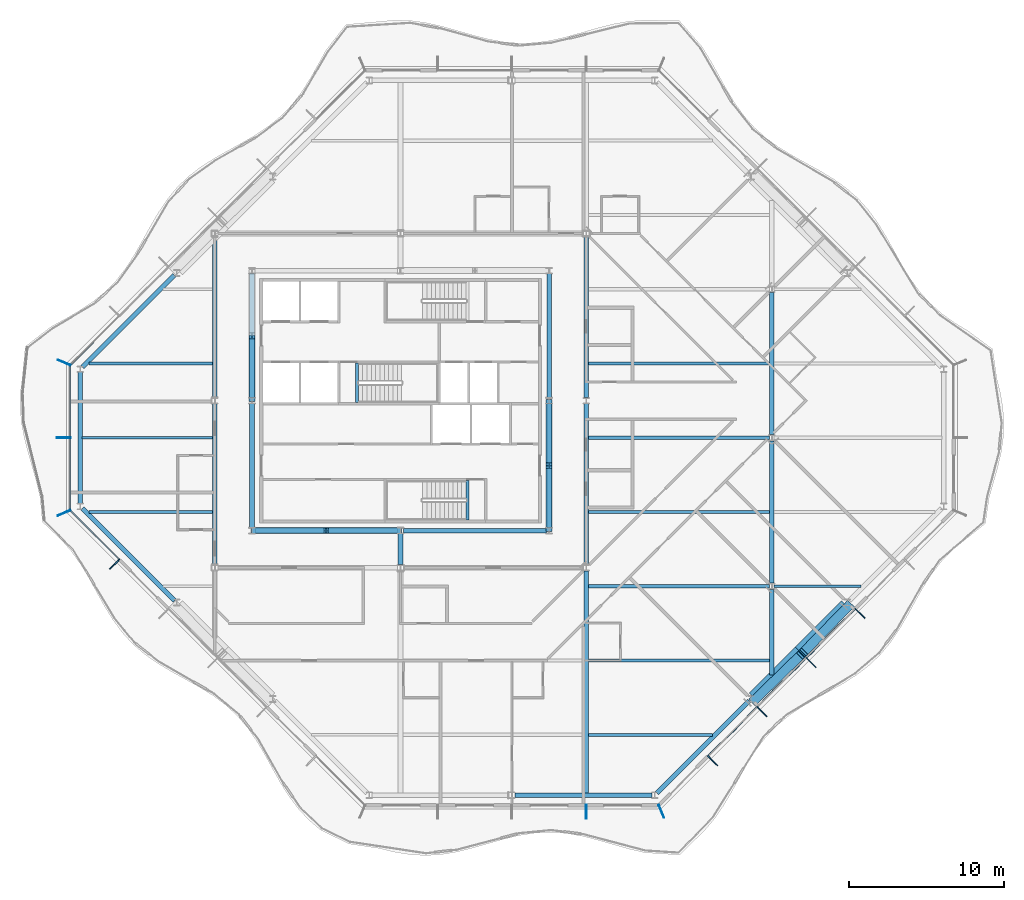
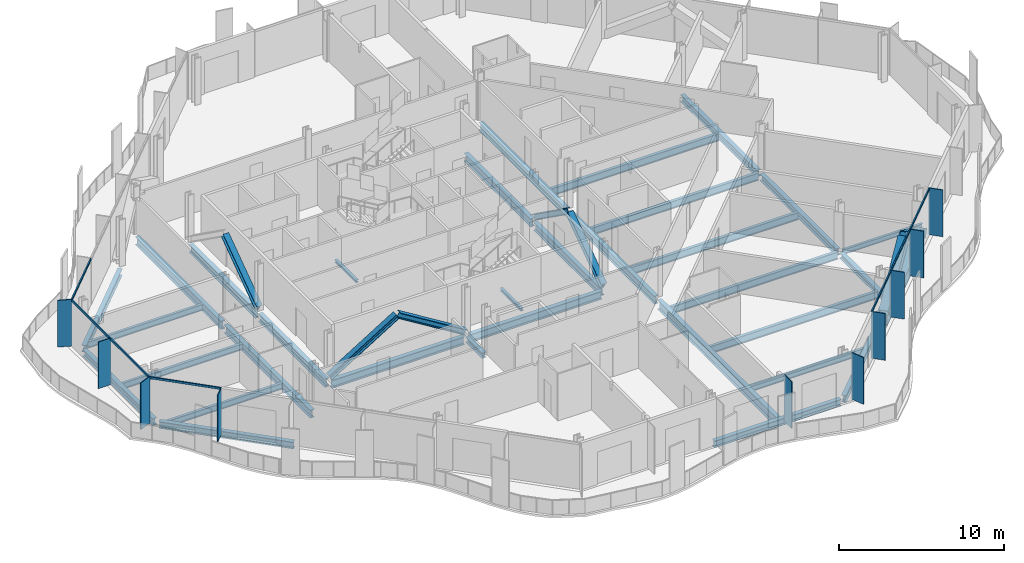
# One storey, part 3 of 17: 34 beams, 24 members, 5 elements without a shape of their own.
"""IFC4 building model written with IfcOpenShell, lengths in metres."""

from ifc_helpers import new_model, si_unit, direction, frame, origin, origin_2d, place, context, subcontext, project, spatial, rectangle, hollow_rectangle, i_section, extrude, material, material_profile, profile_set, type_object, element, aggregate, save


model = new_model("IFC4")

# Units and contexts
model_context = context("Model", 3, precision=1e-05, world=origin(), true_north=direction((0.0, 1.0)))
body_context = subcontext(model_context, "Body", "Model", "MODEL_VIEW")
ifc_project = project(units=[si_unit("LENGTHUNIT", "METRE"), si_unit("AREAUNIT", "SQUARE_METRE"), si_unit("VOLUMEUNIT", "CUBIC_METRE"), si_unit("PLANEANGLEUNIT", "RADIAN"), si_unit("MASSUNIT", "GRAM", prefix="KILO")], contexts=[model_context])

# Site, building, storey
site_placement = place(None, origin())
site = spatial("IfcSite", under=ifc_project, at=site_placement, CompositionType="ELEMENT")
building_placement = place(site_placement, origin())
building = spatial("IfcBuilding", under=site, at=building_placement, Name="Cairn Pilgrim Tower", CompositionType="ELEMENT")
storey_placement = place(building_placement, frame((0.0, 0.0, 221.39990234375)))
storey = spatial("IfcBuildingStorey", under=building, at=storey_placement, Name="L56", CompositionType="ELEMENT", Elevation=221.39990234375)

# Members
ifc_material_1 = material(Name="Structural steel S460M", Category="steel")
ifc_material_profile_1 = material_profile(ifc_material_1, hollow_rectangle(XDim=0.60009765625, YDim=0.60009765625, WallThickness=0.034912109375, at=origin_2d()), Name="BOX 600x600x35")
ifc_profile_set_1 = profile_set([ifc_material_profile_1], Name="Structural steel S460M")
member_type_1 = type_object("IfcMemberType", Name="BOX 600x600x35 BRACE", PredefinedType="BRACE", material=ifc_profile_set_1)
for number, where, z_axis, x_axis, name in (
    (1, (30.02392578125, -17.00146484375, 0.150146484375), (0.610009201523, 0.594778373814, 0.523571828979), (-0.698111810848, 0.715988756584, 0.0), "XB-SE2-SE3-1"),
    (2, (36.201416015625, -10.823974609375, 0.150146484375), (-0.594778373814, -0.610009201523, 0.523571828979), (0.715988756584, -0.698111810848, 0.0), "XB-SE2-SE3-2"),
):
    element("IfcMember", number, at=place(storey_placement, frame(where, z_axis=z_axis, x_axis=x_axis)), inside=storey, type_object=member_type_1, Name=name, PredefinedType="BRACE", context=body_context, shape_type="SweptSolid", body=[
        extrude(hollow_rectangle(XDim=0.60009765625, YDim=0.60009765625, WallThickness=0.034912109375, at=origin_2d()), origin(), (0.0, 0.0, 1.0), 5.033203125),
    ])

# Beams
ifc_material_2 = material(Name="Structural steel S355J2", Category="steel")
ifc_material_profile_2 = material_profile(ifc_material_2, hollow_rectangle(XDim=0.699951171875, YDim=0.800048828125, WallThickness=0.0400390625, at=origin_2d()), Name="BOX 700x800x40")
ifc_profile_set_2 = profile_set([ifc_material_profile_2], Name="Structural steel S355J2")
beam_type_1 = type_object("IfcBeamType", Name="BOX 700x800x40 RING GIRDER", PredefinedType="SPANDREL", material=ifc_profile_set_2)
beam_1_placement = place(storey_placement, frame((29.98388671875, -16.743408203125, -0.5498046875), z_axis=(0.707106781187, 0.707106781187, 0.0), x_axis=(-0.707106781187, 0.707106781187, 0.0)))
element("IfcBeam", 3, at=beam_1_placement, inside=storey, type_object=beam_type_1, Name="RG3-SE2-SE3-1", PredefinedType="SPANDREL", context=body_context, shape_type="SweptSolid", body=[
    extrude(hollow_rectangle(XDim=0.699951171875, YDim=0.800048828125, WallThickness=0.0400390625, at=origin_2d()), origin(), (0.0, 0.0, 1.0), 4.2138671875),
])
beam_2_placement = place(storey_placement, frame((32.963623046875, -13.763671875, -0.5498046875), z_axis=(0.707077813866, 0.707135747321, 0.0), x_axis=(-0.707135747321, 0.707077813866, 0.0)))
element("IfcBeam", 4, at=beam_2_placement, inside=storey, type_object=beam_type_1, Name="RG3-SE2-SE3-2", PredefinedType="SPANDREL", context=body_context, shape_type="SweptSolid", body=[
    extrude(hollow_rectangle(XDim=0.699951171875, YDim=0.800048828125, WallThickness=0.0400390625, at=origin_2d()), origin(), (0.0, 0.0, 1.0), 4.214111328125),
])

# Curtain wall, member
ifc_material_3 = material(Name="Aluminium alloy 6063-T6 bronze anodised with Bronze tinted laminated low-E glass 8+16+8.8", Category="aluminium")
curtain_wall_type_1 = type_object("IfcCurtainWallType", Name="TOWER STICK CURTAIN WALL NS", PredefinedType="NOTDEFINED", material=ifc_material_3)
curtain_wall_1_placement = place(storey_placement, origin())
curtain_wall_1 = element("IfcCurtainWall", 5, at=curtain_wall_1_placement, inside=storey, type_object=curtain_wall_type_1, Name="Tower Stick Curtain Wall Ns S", PredefinedType="NOTDEFINED")
ifc_material_4 = material(Name="Aluminium alloy 6063-T6 bronze anodised", Category="aluminium")
ifc_material_profile_3 = material_profile(ifc_material_4, rectangle(XDim=0.89990234375, YDim=0.06005859375, at=origin_2d()), Name="FIN MULLION 60x900 BRONZE")
ifc_profile_set_3 = profile_set([ifc_material_profile_3], Name="Aluminium alloy 6063-T6 bronze anodised")
member_type_2 = type_object("IfcMemberType", Name="FIN MULLION 60x900 BRONZE", PredefinedType="MULLION", material=ifc_profile_set_3)
member_1_placement = place(storey_placement, frame((19.199951171875, -24.169921875, 0.0), z_axis=(0.0, 0.0, 1.0), x_axis=(0.0, -1.0, 0.0)))
member_1 = element("IfcMember", 6, at=member_1_placement, type_object=member_type_2, Name="Fin mullion S4", PredefinedType="MULLION", context=body_context, shape_type="SweptSolid", body=[
    extrude(rectangle(XDim=0.89990234375, YDim=0.06005859375, at=origin_2d()), origin(), (0.0, 0.0, 1.0), 3.4501953125),
])
aggregate(curtain_wall_1, [member_1])

# Curtain wall, members
curtain_wall_type_2 = type_object("IfcCurtainWallType", Name="CHAMFER CORNER CURTAIN WALL", PredefinedType="NOTDEFINED", material=ifc_material_3)
curtain_wall_2_placement = place(storey_placement, origin())
curtain_wall_2 = element("IfcCurtainWall", 7, at=curtain_wall_2_placement, inside=storey, type_object=curtain_wall_type_2, Name="Chamfer Corner Curtain Wall SE", PredefinedType="NOTDEFINED")
member_2_placement = place(storey_placement, frame((24.05712890625, -24.137939453125, 0.0), z_axis=(0.0, 0.0, 1.0), x_axis=(0.382683432365, -0.923879532511, 0.0)))
member_2 = element("IfcMember", 8, at=member_2_placement, type_object=member_type_2, Name="Fin mullion SE1", PredefinedType="MULLION", context=body_context, shape_type="SweptSolid", body=[
    extrude(rectangle(XDim=0.89990234375, YDim=0.06005859375, at=origin_2d()), origin(), (0.0, 0.0, 1.0), 3.4501953125),
])
member_3_placement = place(storey_placement, frame((27.369140625, -20.871337890625, 0.0), z_axis=(0.0, 0.0, 1.0), x_axis=(0.707106781187, -0.707106781187, 0.0)))
member_3 = element("IfcMember", 9, at=member_3_placement, type_object=member_type_2, Name="Fin mullion SE2", PredefinedType="MULLION", context=body_context, shape_type="SweptSolid", body=[
    extrude(rectangle(XDim=0.89990234375, YDim=0.06005859375, at=origin_2d()), origin(), (0.0, 0.0, 1.0), 3.4501953125),
])
member_4_placement = place(storey_placement, frame((30.544677734375, -17.69580078125, 0.0), z_axis=(0.0, 0.0, 1.0), x_axis=(0.707106781187, -0.707106781187, 0.0)))
member_4 = element("IfcMember", 10, at=member_4_placement, type_object=member_type_2, Name="Fin mullion SE3", PredefinedType="MULLION", context=body_context, shape_type="SweptSolid", body=[
    extrude(rectangle(XDim=0.89990234375, YDim=0.06005859375, at=origin_2d()), origin(), (0.0, 0.0, 1.0), 3.4501953125),
])
member_5_placement = place(storey_placement, frame((33.72021484375, -14.520263671875, 0.0), z_axis=(0.0, 0.0, 1.0), x_axis=(0.707106781187, -0.707106781187, 0.0)))
member_5 = element("IfcMember", 11, at=member_5_placement, type_object=member_type_2, Name="Fin mullion SE4", PredefinedType="MULLION", context=body_context, shape_type="SweptSolid", body=[
    extrude(rectangle(XDim=0.89990234375, YDim=0.06005859375, at=origin_2d()), origin(), (0.0, 0.0, 1.0), 3.4501953125),
])
member_6_placement = place(storey_placement, frame((36.895751953125, -11.3447265625, 0.0), z_axis=(0.0, 0.0, 1.0), x_axis=(0.707106781187, -0.707106781187, 0.0)))
member_6 = element("IfcMember", 12, at=member_6_placement, type_object=member_type_2, Name="Fin mullion SE5", PredefinedType="MULLION", context=body_context, shape_type="SweptSolid", body=[
    extrude(rectangle(XDim=0.89990234375, YDim=0.06005859375, at=origin_2d()), origin(), (0.0, 0.0, 1.0), 3.4501953125),
])

curtain_wall_type_3 = type_object("IfcCurtainWallType", Name="TOWER STICK CURTAIN WALL EW", PredefinedType="NOTDEFINED", material=ifc_material_3)
curtain_wall_3_placement = place(storey_placement, origin())
curtain_wall_3 = element("IfcCurtainWall", 13, at=curtain_wall_3_placement, inside=storey, type_object=curtain_wall_type_3, Name="Tower Stick Curtain Wall Ew W", PredefinedType="NOTDEFINED")
member_7_placement = place(storey_placement, frame((-14.5380859375, 4.857177734375, 0.0), z_axis=(0.0, 0.0, 1.0), x_axis=(-0.923879532511, 0.382683432365, 0.0)))
member_7 = element("IfcMember", 14, at=member_7_placement, type_object=member_type_2, Name="Fin mullion W1", PredefinedType="MULLION", context=body_context, shape_type="SweptSolid", body=[
    extrude(rectangle(XDim=0.89990234375, YDim=0.06005859375, at=origin_2d()), origin(), (0.0, 0.0, 1.0), 3.4501953125),
])
member_8_placement = place(storey_placement, frame((-14.570068359375, 0.0, 0.0), z_axis=(0.0, 0.0, 1.0), x_axis=(-1.0, 0.0, 0.0)))
member_8 = element("IfcMember", 15, at=member_8_placement, type_object=member_type_2, Name="Fin mullion W2", PredefinedType="MULLION", context=body_context, shape_type="SweptSolid", body=[
    extrude(rectangle(XDim=0.89990234375, YDim=0.06005859375, at=origin_2d()), origin(), (0.0, 0.0, 1.0), 3.4501953125),
])

curtain_wall_4_placement = place(storey_placement, origin())
curtain_wall_4 = element("IfcCurtainWall", 16, at=curtain_wall_4_placement, inside=storey, type_object=curtain_wall_type_2, Name="Chamfer Corner Curtain Wall SW", PredefinedType="NOTDEFINED")
member_9_placement = place(storey_placement, frame((-14.5380859375, -4.857177734375, 0.0), z_axis=(0.0, 0.0, 1.0), x_axis=(-0.923879532511, -0.382683432365, 0.0)))
member_9 = element("IfcMember", 17, at=member_9_placement, type_object=member_type_2, Name="Fin mullion SW1", PredefinedType="MULLION", context=body_context, shape_type="SweptSolid", body=[
    extrude(rectangle(XDim=0.89990234375, YDim=0.06005859375, at=origin_2d()), origin(), (0.0, 0.0, 1.0), 3.4501953125),
])
member_10_placement = place(storey_placement, frame((-11.271484375, -8.1689453125, 0.0), z_axis=(0.0, 0.0, 1.0), x_axis=(-0.707106781187, -0.707106781187, 0.0)))
member_10 = element("IfcMember", 18, at=member_10_placement, type_object=member_type_2, Name="Fin mullion SW2", PredefinedType="MULLION", context=body_context, shape_type="SweptSolid", body=[
    extrude(rectangle(XDim=0.89990234375, YDim=0.06005859375, at=origin_2d()), origin(), (0.0, 0.0, 1.0), 3.4501953125),
])

# Members
ifc_material_profile_4 = material_profile(ifc_material_2, i_section(OverallWidth=0.39794921875, OverallDepth=0.386962890625, WebThickness=0.02099609375, FlangeThickness=0.033203125, FilletRadius=0.014892578125, at=origin_2d()), Name="HD 400x262")
ifc_profile_set_4 = profile_set([ifc_material_profile_4], Name="Structural steel S355J2")
member_type_3 = type_object("IfcMemberType", Name="HD 400x262 BRACE", PredefinedType="BRACE", material=ifc_profile_set_4)
member_11_placement = place(storey_placement, frame((-2.359619140625, -6.0, 0.10009765625), z_axis=(0.851180404412, 0.0, 0.524873241025), x_axis=(0.0, 1.0, 0.0)))
element("IfcMember", 19, at=member_11_placement, inside=storey, type_object=member_type_3, Name="KB-1A", PredefinedType="BRACE", context=body_context, shape_type="SweptSolid", body=[
    extrude(i_section(OverallWidth=0.39794921875, OverallDepth=0.386962890625, WebThickness=0.02099609375, FlangeThickness=0.033203125, FilletRadius=0.014892578125, at=origin_2d()), origin(), (0.0, 0.0, 1.0), 5.529052734375),
])
member_12_placement = place(storey_placement, frame((7.15966796875, -6.0, 0.10009765625), z_axis=(-0.851192568136, 0.0, 0.524853514754), x_axis=(0.0, -1.0, 0.0)))
element("IfcMember", 20, at=member_12_placement, inside=storey, type_object=member_type_3, Name="KB-1B", PredefinedType="BRACE", context=body_context, shape_type="SweptSolid", body=[
    extrude(i_section(OverallWidth=0.39794921875, OverallDepth=0.386962890625, WebThickness=0.02099609375, FlangeThickness=0.033203125, FilletRadius=0.014892578125, at=origin_2d()), origin(), (0.0, 0.0, 1.0), 5.529296875),
])
member_13_placement = place(storey_placement, frame((16.800048828125, -5.959716796875, 0.10009765625), z_axis=(0.0, 0.814429122825, 0.580263047155), x_axis=(-1.0, 0.0, 0.0)))
element("IfcMember", 21, at=member_13_placement, inside=storey, type_object=member_type_3, Name="KB-2A", PredefinedType="BRACE", context=body_context, shape_type="SweptSolid", body=[
    extrude(i_section(OverallWidth=0.39794921875, OverallDepth=0.386962890625, WebThickness=0.02099609375, FlangeThickness=0.033203125, FilletRadius=0.014892578125, at=origin_2d()), origin(), (0.0, 0.0, 1.0), 4.999267578125),
])
for number, where, z_axis, x_axis, name in (
    (22, (16.800048828125, 2.359619140625, 0.10009765625), (0.0, -0.814412678688, 0.580286126659), (1.0, 0.0, 0.0), "KB-2B"),
    (23, (-2.39990234375, 2.4404296875, 0.10009765625), (0.0, 0.814412678688, 0.580286126659), (-1.0, 0.0, 0.0), "KB-4B"),
):
    element("IfcMember", number, at=place(storey_placement, frame(where, z_axis=z_axis, x_axis=x_axis)), inside=storey, type_object=member_type_3, Name=name, PredefinedType="BRACE", context=body_context, shape_type="SweptSolid", body=[
        extrude(i_section(OverallWidth=0.39794921875, OverallDepth=0.386962890625, WebThickness=0.02099609375, FlangeThickness=0.033203125, FilletRadius=0.014892578125, at=origin_2d()), origin(), (0.0, 0.0, 1.0), 4.9990234375),
    ])

# Beams
ifc_material_profile_5 = material_profile(ifc_material_2, i_section(OverallWidth=0.300048828125, OverallDepth=0.39990234375, WebThickness=0.013427734375, FlangeThickness=0.02392578125, FilletRadius=0.027099609375, at=origin_2d()), Name="HEB 400")
ifc_profile_set_5 = profile_set([ifc_material_profile_5], Name="Structural steel S355J2")
beam_type_2 = type_object("IfcBeamType", Name="HEB 400 GIRDER", PredefinedType="BEAM", material=ifc_profile_set_5)
beam_3_placement = place(storey_placement, frame((7.199951171875, -8.200439453125, -0.349853515625), z_axis=(0.0, 1.0, 0.0), x_axis=(-1.0, 0.0, 0.0)))
element("IfcBeam", 24, at=beam_3_placement, inside=storey, type_object=beam_type_2, Name="PG3-E1", PredefinedType="BEAM", context=body_context, shape_type="SweptSolid", body=[
    extrude(i_section(OverallWidth=0.300048828125, OverallDepth=0.39990234375, WebThickness=0.013427734375, FlangeThickness=0.02392578125, FilletRadius=0.027099609375, at=origin_2d()), origin(), (0.0, 0.0, 1.0), 1.99853515625),
])
beam_4_placement = place(storey_placement, frame((31.199951171875, -15.34521484375, -0.349853515625), z_axis=(0.0, 1.0, 0.0), x_axis=(-1.0, 0.0, 0.0)))
element("IfcBeam", 25, at=beam_4_placement, inside=storey, type_object=beam_type_2, Name="PG5-1", PredefinedType="BEAM", context=body_context, shape_type="SweptSolid", body=[
    extrude(i_section(OverallWidth=0.300048828125, OverallDepth=0.39990234375, WebThickness=0.013427734375, FlangeThickness=0.02392578125, FilletRadius=0.027099609375, at=origin_2d()), origin(), (0.0, 0.0, 1.0), 5.545654296875),
])
ifc_material_profile_6 = material_profile(ifc_material_2, i_section(OverallWidth=0.300048828125, OverallDepth=0.5, WebThickness=0.014404296875, FlangeThickness=0.028076171875, FilletRadius=0.027099609375, at=origin_2d()), Name="HEB 500")
ifc_profile_set_6 = profile_set([ifc_material_profile_6], Name="Structural steel S355J2")
beam_type_3 = type_object("IfcBeamType", Name="HEB 500 GIRDER", PredefinedType="BEAM", material=ifc_profile_set_6)
for number, where, z_axis, x_axis, name in (
    (26, (31.199951171875, -9.400390625, -0.39990234375), (0.0, 1.0, 0.0), (-1.0, 0.0, 0.0), "PG5-2"),
    (27, (31.199951171875, 0.199462890625, -0.39990234375), (0.0, 1.0, 0.0), (-1.0, 0.0, 0.0), "PG5-3"),
):
    element("IfcBeam", number, at=place(storey_placement, frame(where, z_axis=z_axis, x_axis=x_axis)), inside=storey, type_object=beam_type_3, Name=name, PredefinedType="BEAM", context=body_context, shape_type="SweptSolid", body=[
        extrude(i_section(OverallWidth=0.300048828125, OverallDepth=0.5, WebThickness=0.014404296875, FlangeThickness=0.028076171875, FilletRadius=0.027099609375, at=origin_2d()), origin(), (0.0, 0.0, 1.0), 9.200927734375),
    ])
ifc_material_profile_7 = material_profile(ifc_material_2, i_section(OverallWidth=0.300048828125, OverallDepth=0.5, WebThickness=0.014404296875, FlangeThickness=0.028076171875, FilletRadius=0.027099609375, at=origin_2d()), Name="HEB 500")
ifc_profile_set_7 = profile_set([ifc_material_profile_7], Name="Structural steel S355J2")
beam_type_4 = type_object("IfcBeamType", Name="HEB 500 RING GIRDER", PredefinedType="SPANDREL", material=ifc_profile_set_7)
beam_5_placement = place(storey_placement, frame((14.587158203125, -23.10009765625, -0.39990234375), z_axis=(1.0, 0.0, 0.0), x_axis=(0.0, 1.0, 0.0)))
element("IfcBeam", 28, at=beam_5_placement, inside=storey, type_object=beam_type_4, Name="RG3-S2-SE1", PredefinedType="SPANDREL", context=body_context, shape_type="SweptSolid", body=[
    extrude(i_section(OverallWidth=0.300048828125, OverallDepth=0.5, WebThickness=0.014404296875, FlangeThickness=0.028076171875, FilletRadius=0.027099609375, at=origin_2d()), origin(), (0.0, 0.0, 1.0), 8.852783203125),
])
for number, where, z_axis, x_axis, name in (
    (29, (23.759521484375, -22.967529296875, -0.39990234375), (0.707106781187, 0.707106781187, 0.0), (-0.707106781187, 0.707106781187, 0.0), "RG3-SE1-SE2"),
    (30, (-7.408203125, 10.51904296875, -0.39990234375), (-0.707106781187, -0.707106781187, 0.0), (0.707106781187, -0.707106781187, 0.0), "RG3-NW3-W1"),
):
    element("IfcBeam", number, at=place(storey_placement, frame(where, z_axis=z_axis, x_axis=x_axis)), inside=storey, type_object=beam_type_4, Name=name, PredefinedType="SPANDREL", context=body_context, shape_type="SweptSolid", body=[
        extrude(i_section(OverallWidth=0.300048828125, OverallDepth=0.5, WebThickness=0.014404296875, FlangeThickness=0.028076171875, FilletRadius=0.027099609375, at=origin_2d()), origin(), (0.0, 0.0, 1.0), 8.427978515625),
    ])
beam_6_placement = place(storey_placement, frame((-13.5, 4.239990234375, -0.39990234375), z_axis=(0.0, -1.0, 0.0), x_axis=(1.0, 0.0, 0.0)))
element("IfcBeam", 31, at=beam_6_placement, inside=storey, type_object=beam_type_4, Name="RG3-W1-SW1", PredefinedType="SPANDREL", context=body_context, shape_type="SweptSolid", body=[
    extrude(i_section(OverallWidth=0.300048828125, OverallDepth=0.5, WebThickness=0.014404296875, FlangeThickness=0.028076171875, FilletRadius=0.027099609375, at=origin_2d()), origin(), (0.0, 0.0, 1.0), 8.47998046875),
])
beam_7_placement = place(storey_placement, frame((-13.36767578125, -4.5595703125, -0.39990234375), z_axis=(0.707106781187, -0.707106781187, 0.0), x_axis=(0.707106781187, 0.707106781187, 0.0)))
element("IfcBeam", 32, at=beam_7_placement, inside=storey, type_object=beam_type_4, Name="RG3-SW1-SW2", PredefinedType="SPANDREL", context=body_context, shape_type="SweptSolid", body=[
    extrude(i_section(OverallWidth=0.300048828125, OverallDepth=0.5, WebThickness=0.014404296875, FlangeThickness=0.028076171875, FilletRadius=0.027099609375, at=origin_2d()), origin(), (0.0, 0.0, 1.0), 8.427978515625),
])
ifc_material_profile_8 = material_profile(ifc_material_2, i_section(OverallWidth=0.300048828125, OverallDepth=0.60009765625, WebThickness=0.015380859375, FlangeThickness=0.030029296875, FilletRadius=0.027099609375, at=origin_2d()), Name="HEB 600")
ifc_profile_set_8 = profile_set([ifc_material_profile_8], Name="Structural steel S355J2")
beam_type_5 = type_object("IfcBeamType", Name="HEB 600 CORE BEAM", PredefinedType="BEAM", material=ifc_profile_set_8)
beam_8_placement = place(storey_placement, frame((-2.21826171875, -6.0, -0.449951171875), z_axis=(1.0, 0.0, 0.0), x_axis=(0.0, 1.0, 0.0)))
element("IfcBeam", 33, at=beam_8_placement, inside=storey, type_object=beam_type_5, Name="CB-1", PredefinedType="BEAM", context=body_context, shape_type="SweptSolid", body=[
    extrude(i_section(OverallWidth=0.300048828125, OverallDepth=0.60009765625, WebThickness=0.015380859375, FlangeThickness=0.030029296875, FilletRadius=0.027099609375, at=origin_2d()), origin(), (0.0, 0.0, 1.0), 9.236572265625),
])
beam_9_placement = place(storey_placement, frame((7.3818359375, -6.0, -0.449951171875), z_axis=(1.0, 0.0, 0.0), x_axis=(0.0, 1.0, 0.0)))
element("IfcBeam", 34, at=beam_9_placement, inside=storey, type_object=beam_type_5, Name="CB-2", PredefinedType="BEAM", context=body_context, shape_type="SweptSolid", body=[
    extrude(i_section(OverallWidth=0.300048828125, OverallDepth=0.60009765625, WebThickness=0.015380859375, FlangeThickness=0.030029296875, FilletRadius=0.027099609375, at=origin_2d()), origin(), (0.0, 0.0, 1.0), 9.236328125),
])
for number, where, z_axis, x_axis, name in (
    (35, (16.800048828125, -5.818115234375, -0.449951171875), (0.0, 1.0, 0.0), (-1.0, 0.0, 0.0), "CB-3"),
    (36, (16.800048828125, 2.581787109375, -0.449951171875), (0.0, 1.0, 0.0), (-1.0, 0.0, 0.0), "CB-4"),
    (37, (-2.39990234375, 10.6181640625, -0.449951171875), (0.0, -1.0, 0.0), (1.0, 0.0, 0.0), "CB-7"),
    (38, (-2.39990234375, 2.21826171875, -0.449951171875), (0.0, -1.0, 0.0), (1.0, 0.0, 0.0), "CB-8"),
):
    element("IfcBeam", number, at=place(storey_placement, frame(where, z_axis=z_axis, x_axis=x_axis)), inside=storey, type_object=beam_type_5, Name=name, PredefinedType="BEAM", context=body_context, shape_type="SweptSolid", body=[
        extrude(i_section(OverallWidth=0.300048828125, OverallDepth=0.60009765625, WebThickness=0.015380859375, FlangeThickness=0.030029296875, FilletRadius=0.027099609375, at=origin_2d()), origin(), (0.0, 0.0, 1.0), 8.036376953125),
    ])
ifc_material_profile_9 = material_profile(ifc_material_2, i_section(OverallWidth=0.300048828125, OverallDepth=0.60009765625, WebThickness=0.015380859375, FlangeThickness=0.030029296875, FilletRadius=0.027099609375, at=origin_2d()), Name="HEB 600")
ifc_profile_set_9 = profile_set([ifc_material_profile_9], Name="Structural steel S355J2")
beam_type_6 = type_object("IfcBeamType", Name="HEB 600 GIRDER", PredefinedType="BEAM", material=ifc_profile_set_9)
beam_10_placement = place(storey_placement, frame((-4.800048828125, -8.200439453125, -0.449951171875), z_axis=(0.0, 1.0, 0.0), x_axis=(-1.0, 0.0, 0.0)))
element("IfcBeam", 39, at=beam_10_placement, inside=storey, type_object=beam_type_6, Name="PG2-2", PredefinedType="BEAM", context=body_context, shape_type="SweptSolid", body=[
    extrude(i_section(OverallWidth=0.300048828125, OverallDepth=0.60009765625, WebThickness=0.015380859375, FlangeThickness=0.030029296875, FilletRadius=0.027099609375, at=origin_2d()), origin(), (0.0, 0.0, 1.0), 10.40087890625),
])
beam_11_placement = place(storey_placement, frame((-4.800048828125, 2.599609375, -0.449951171875), z_axis=(0.0, 1.0, 0.0), x_axis=(-1.0, 0.0, 0.0)))
element("IfcBeam", 40, at=beam_11_placement, inside=storey, type_object=beam_type_6, Name="PG2-3", PredefinedType="BEAM", context=body_context, shape_type="SweptSolid", body=[
    extrude(i_section(OverallWidth=0.300048828125, OverallDepth=0.60009765625, WebThickness=0.015380859375, FlangeThickness=0.030029296875, FilletRadius=0.027099609375, at=origin_2d()), origin(), (0.0, 0.0, 1.0), 10.345458984375),
])
for number, where, z_axis, x_axis, name in (
    (41, (19.199951171875, -8.200439453125, -0.449951171875), (0.0, 1.0, 0.0), (-1.0, 0.0, 0.0), "PG4-2"),
    (42, (19.199951171875, 2.599609375, -0.449951171875), (0.0, 1.0, 0.0), (-1.0, 0.0, 0.0), "PG4-3"),
):
    element("IfcBeam", number, at=place(storey_placement, frame(where, z_axis=z_axis, x_axis=x_axis)), inside=storey, type_object=beam_type_6, Name=name, PredefinedType="BEAM", context=body_context, shape_type="SweptSolid", body=[
        extrude(i_section(OverallWidth=0.300048828125, OverallDepth=0.60009765625, WebThickness=0.015380859375, FlangeThickness=0.030029296875, FilletRadius=0.027099609375, at=origin_2d()), origin(), (0.0, 0.0, 1.0), 10.40087890625),
    ])
ifc_material_profile_10 = material_profile(ifc_material_2, i_section(OverallWidth=0.300048828125, OverallDepth=0.699951171875, WebThickness=0.01708984375, FlangeThickness=0.031982421875, FilletRadius=0.027099609375, at=origin_2d()), Name="HEB 700")
ifc_profile_set_10 = profile_set([ifc_material_profile_10], Name="Structural steel S355J2")
beam_type_7 = type_object("IfcBeamType", Name="HEB 700 GIRDER", PredefinedType="BEAM", material=ifc_profile_set_10)
beam_12_placement = place(storey_placement, frame((19.199951171875, -22.97998046875, -0.5), z_axis=(0.0, 1.0, 0.0), x_axis=(-1.0, 0.0, 0.0)))
element("IfcBeam", 43, at=beam_12_placement, inside=storey, type_object=beam_type_7, Name="PG4-1", PredefinedType="BEAM", context=body_context, shape_type="SweptSolid", body=[
    extrude(i_section(OverallWidth=0.300048828125, OverallDepth=0.699951171875, WebThickness=0.01708984375, FlangeThickness=0.031982421875, FilletRadius=0.027099609375, at=origin_2d()), origin(), (0.0, 0.0, 1.0), 14.38037109375),
])
ifc_material_profile_11 = material_profile(ifc_material_2, i_section(OverallWidth=0.169921875, OverallDepth=0.360107421875, WebThickness=0.008056640625, FlangeThickness=0.0126953125, FilletRadius=0.01806640625, at=origin_2d()), Name="IPE 360")
ifc_profile_set_11 = profile_set([ifc_material_profile_11], Name="Structural steel S355J2")
beam_type_8 = type_object("IfcBeamType", Name="IPE 360 SECONDARY BEAM", PredefinedType="JOIST", material=ifc_profile_set_11)
beam_13_placement = place(storey_placement, frame((31.35009765625, -9.60009765625, -0.329833984375), z_axis=(1.0, 0.0, 0.0), x_axis=(0.0, 1.0, 0.0)))
element("IfcBeam", 44, at=beam_13_placement, inside=storey, type_object=beam_type_8, Name="SB3-3", PredefinedType="JOIST", context=body_context, shape_type="SweptSolid", body=[
    extrude(i_section(OverallWidth=0.169921875, OverallDepth=0.360107421875, WebThickness=0.008056640625, FlangeThickness=0.0126953125, FilletRadius=0.01806640625, at=origin_2d()), origin(), (0.0, 0.0, 1.0), 5.594970703125),
])
ifc_material_profile_12 = material_profile(ifc_material_2, i_section(OverallWidth=0.18994140625, OverallDepth=0.449951171875, WebThickness=0.009521484375, FlangeThickness=0.0146484375, FilletRadius=0.02099609375, at=origin_2d()), Name="IPE 450")
ifc_profile_set_12 = profile_set([ifc_material_profile_12], Name="Structural steel S355J2")
beam_type_9 = type_object("IfcBeamType", Name="IPE 450 SECONDARY BEAM", PredefinedType="JOIST", material=ifc_profile_set_12)
for number, where, z_axis, x_axis, name in (
    (45, (19.35009765625, -19.199951171875, -0.375), (1.0, 0.0, 0.0), (0.0, 1.0, 0.0), "SB1-3"),
    (46, (-12.945068359375, -4.800048828125, -0.375), (1.0, 0.0, 0.0), (0.0, 1.0, 0.0), "SB4-1"),
):
    element("IfcBeam", number, at=place(storey_placement, frame(where, z_axis=z_axis, x_axis=x_axis)), inside=storey, type_object=beam_type_9, Name=name, PredefinedType="JOIST", context=body_context, shape_type="SweptSolid", body=[
        extrude(i_section(OverallWidth=0.18994140625, OverallDepth=0.449951171875, WebThickness=0.009521484375, FlangeThickness=0.0146484375, FilletRadius=0.02099609375, at=origin_2d()), origin(), (0.0, 0.0, 1.0), 7.9951171875),
    ])
beam_14_placement = place(storey_placement, frame((-13.3798828125, 0.0, -0.375), z_axis=(1.0, 0.0, 0.0), x_axis=(0.0, 1.0, 0.0)))
element("IfcBeam", 47, at=beam_14_placement, inside=storey, type_object=beam_type_9, Name="SB5-1", PredefinedType="JOIST", context=body_context, shape_type="SweptSolid", body=[
    extrude(i_section(OverallWidth=0.18994140625, OverallDepth=0.449951171875, WebThickness=0.009521484375, FlangeThickness=0.0146484375, FilletRadius=0.02099609375, at=origin_2d()), origin(), (0.0, 0.0, 1.0), 8.429931640625),
])
beam_15_placement = place(storey_placement, frame((-12.945068359375, 4.800048828125, -0.375), z_axis=(1.0, 0.0, 0.0), x_axis=(0.0, 1.0, 0.0)))
element("IfcBeam", 48, at=beam_15_placement, inside=storey, type_object=beam_type_9, Name="SB6-1", PredefinedType="JOIST", context=body_context, shape_type="SweptSolid", body=[
    extrude(i_section(OverallWidth=0.18994140625, OverallDepth=0.449951171875, WebThickness=0.009521484375, FlangeThickness=0.0146484375, FilletRadius=0.02099609375, at=origin_2d()), origin(), (0.0, 0.0, 1.0), 7.9951171875),
])
ifc_material_profile_13 = material_profile(ifc_material_2, i_section(OverallWidth=0.2099609375, OverallDepth=0.550048828125, WebThickness=0.010986328125, FlangeThickness=0.01708984375, FilletRadius=0.02392578125, at=origin_2d()), Name="IPE 550")
ifc_profile_set_13 = profile_set([ifc_material_profile_13], Name="Structural steel S355J2")
beam_type_10 = type_object("IfcBeamType", Name="IPE 550 SECONDARY BEAM", PredefinedType="JOIST", material=ifc_profile_set_13)
for number, where, z_axis, x_axis, name in (
    (49, (19.35009765625, -14.39990234375, -0.4248046875), (1.0, 0.0, 0.0), (0.0, 1.0, 0.0), "SB2-3"),
    (50, (19.35009765625, -9.60009765625, -0.4248046875), (1.0, 0.0, 0.0), (0.0, 1.0, 0.0), "SB3-2"),
    (51, (19.35009765625, -4.800048828125, -0.4248046875), (1.0, 0.0, 0.0), (0.0, 1.0, 0.0), "SB4-2"),
    (52, (19.35009765625, 0.0, -0.4248046875), (1.0, 0.0, 0.0), (0.0, 1.0, 0.0), "SB5-2"),
    (53, (19.35009765625, 4.800048828125, -0.4248046875), (1.0, 0.0, 0.0), (0.0, 1.0, 0.0), "SB6-2"),
):
    element("IfcBeam", number, at=place(storey_placement, frame(where, z_axis=z_axis, x_axis=x_axis)), inside=storey, type_object=beam_type_10, Name=name, PredefinedType="JOIST", context=body_context, shape_type="SweptSolid", body=[
        extrude(i_section(OverallWidth=0.2099609375, OverallDepth=0.550048828125, WebThickness=0.010986328125, FlangeThickness=0.01708984375, FilletRadius=0.02392578125, at=origin_2d()), origin(), (0.0, 0.0, 1.0), 11.699951171875),
    ])
ifc_material_profile_14 = material_profile(ifc_material_2, i_section(OverallWidth=0.199951171875, OverallDepth=0.199951171875, WebThickness=0.009033203125, FlangeThickness=0.014892578125, FilletRadius=0.01806640625, at=origin_2d()), Name="HE 200 B")
ifc_profile_set_14 = profile_set([ifc_material_profile_14], Name="Structural steel S355J2")
beam_type_11 = type_object("IfcBeamType", Name="STAIR LANDING BEAM HE 200 B", PredefinedType="BEAM", material=ifc_profile_set_14)
beam_16_placement = place(storey_placement, frame((11.5244140625, -2.77490234375, -0.25), z_axis=(0.0, -1.0, 0.0), x_axis=(1.0, 0.0, 0.0)))
element("IfcBeam", 54, at=beam_16_placement, inside=storey, type_object=beam_type_11, Name="STAIR LANDING BEAM LD-HE200B", PredefinedType="BEAM", context=body_context, shape_type="SweptSolid", body=[
    extrude(i_section(OverallWidth=0.199951171875, OverallDepth=0.199951171875, WebThickness=0.009033203125, FlangeThickness=0.014892578125, FilletRadius=0.01806640625, at=origin_2d()), origin(), (0.0, 0.0, 1.0), 2.525146484375),
])
beam_17_placement = place(storey_placement, frame((4.37548828125, 2.27490234375, -0.25), z_axis=(0.0, 1.0, 0.0), x_axis=(-1.0, 0.0, 0.0)))
element("IfcBeam", 55, at=beam_17_placement, inside=storey, type_object=beam_type_11, Name="STAIR LANDING BEAM LD-HE200B", PredefinedType="BEAM", context=body_context, shape_type="SweptSolid", body=[
    extrude(i_section(OverallWidth=0.199951171875, OverallDepth=0.199951171875, WebThickness=0.009033203125, FlangeThickness=0.014892578125, FilletRadius=0.01806640625, at=origin_2d()), origin(), (0.0, 0.0, 1.0), 2.550048828125),
])

# Member
ifc_material_profile_15 = material_profile(ifc_material_4, rectangle(XDim=0.080078125, YDim=0.14990234375, at=origin_2d()), Name="TRANSOM 80x150 BRONZE")
ifc_profile_set_15 = profile_set([ifc_material_profile_15], Name="Aluminium alloy 6063-T6 bronze anodised")
member_type_4 = type_object("IfcMemberType", Name="TRANSOM 80x150 BRONZE", PredefinedType="USERDEFINED", material=ifc_profile_set_15)
member_14_placement = place(storey_placement, frame((27.09326171875, -20.55322265625, 3.375), z_axis=(0.707079231393, 0.707134329907, 0.0), x_axis=(-0.707134329907, 0.707079231393, 0.0)))
member_14 = element("IfcMember", 56, at=member_14_placement, type_object=member_type_4, Name="Transom SE2", ObjectType="TRANSOM", PredefinedType="USERDEFINED", context=body_context, shape_type="SweptSolid", body=[
    extrude(rectangle(XDim=0.080078125, YDim=0.14990234375, at=origin_2d()), origin(), (0.0, 0.0, 1.0), 4.430908203125),
])

member_15_placement = place(storey_placement, frame((30.268798828125, -17.377685546875, 3.375), z_axis=(0.707106781187, 0.707106781187, 0.0), x_axis=(-0.707106781187, 0.707106781187, 0.0)))
member_15 = element("IfcMember", 57, at=member_15_placement, type_object=member_type_4, Name="Transom SE3", ObjectType="TRANSOM", PredefinedType="USERDEFINED", context=body_context, shape_type="SweptSolid", body=[
    extrude(rectangle(XDim=0.080078125, YDim=0.14990234375, at=origin_2d()), origin(), (0.0, 0.0, 1.0), 4.43115234375),
])

member_16_placement = place(storey_placement, frame((33.4443359375, -14.201904296875, 3.375), z_axis=(0.707134329907, 0.707079231393, 0.0), x_axis=(-0.707079231393, 0.707134329907, 0.0)))
member_16 = element("IfcMember", 58, at=member_16_placement, type_object=member_type_4, Name="Transom SE4", ObjectType="TRANSOM", PredefinedType="USERDEFINED", context=body_context, shape_type="SweptSolid", body=[
    extrude(rectangle(XDim=0.080078125, YDim=0.14990234375, at=origin_2d()), origin(), (0.0, 0.0, 1.0), 4.430908203125),
])

aggregate(curtain_wall_2, [member_2, member_3, member_4, member_5, member_6, member_14, member_15, member_16])

# Curtain wall, member
curtain_wall_5_placement = place(storey_placement, origin())
curtain_wall_5 = element("IfcCurtainWall", 59, at=curtain_wall_5_placement, inside=storey, type_object=curtain_wall_type_2, Name="Chamfer Corner Curtain Wall NW", PredefinedType="NOTDEFINED")
member_17_placement = place(storey_placement, frame((-10.99560546875, 7.850830078125, 3.375), z_axis=(-0.707106781187, -0.707106781187, 0.0), x_axis=(0.707106781187, -0.707106781187, 0.0)))
member_17 = element("IfcMember", 60, at=member_17_placement, type_object=member_type_4, Name="Transom NW6", ObjectType="TRANSOM", PredefinedType="USERDEFINED", context=body_context, shape_type="SweptSolid", body=[
    extrude(rectangle(XDim=0.080078125, YDim=0.14990234375, at=origin_2d()), origin(), (0.0, 0.0, 1.0), 4.421142578125),
])
aggregate(curtain_wall_5, [member_17])

# Member
member_18_placement = place(storey_placement, frame((-14.14990234375, 4.656494140625, 3.375), z_axis=(0.0, -1.0, 0.0), x_axis=(1.0, 0.0, 0.0)))
member_18 = element("IfcMember", 61, at=member_18_placement, type_object=member_type_4, Name="Transom W1", ObjectType="TRANSOM", PredefinedType="USERDEFINED", context=body_context, shape_type="SweptSolid", body=[
    extrude(rectangle(XDim=0.080078125, YDim=0.14990234375, at=origin_2d()), origin(), (0.0, 0.0, 1.0), 4.62646484375),
])

member_19_placement = place(storey_placement, frame((-14.14990234375, -0.030029296875, 3.375), z_axis=(0.0, -1.0, 0.0), x_axis=(1.0, 0.0, 0.0)))
member_19 = element("IfcMember", 62, at=member_19_placement, type_object=member_type_4, Name="Transom W2", ObjectType="TRANSOM", PredefinedType="USERDEFINED", context=body_context, shape_type="SweptSolid", body=[
    extrude(rectangle(XDim=0.080078125, YDim=0.14990234375, at=origin_2d()), origin(), (0.0, 0.0, 1.0), 4.62646484375),
])

aggregate(curtain_wall_3, [member_7, member_8, member_18, member_19])

member_20_placement = place(storey_placement, frame((-14.121826171875, -4.724609375, 3.375), z_axis=(0.707106781187, -0.707106781187, 0.0), x_axis=(0.707106781187, 0.707106781187, 0.0)))
member_20 = element("IfcMember", 63, at=member_20_placement, type_object=member_type_4, Name="Transom SW1", ObjectType="TRANSOM", PredefinedType="USERDEFINED", context=body_context, shape_type="SweptSolid", body=[
    extrude(rectangle(XDim=0.080078125, YDim=0.14990234375, at=origin_2d()), origin(), (0.0, 0.0, 1.0), 4.421142578125),
])

aggregate(curtain_wall_4, [member_9, member_10, member_20])

save(model, "model.ifc")
